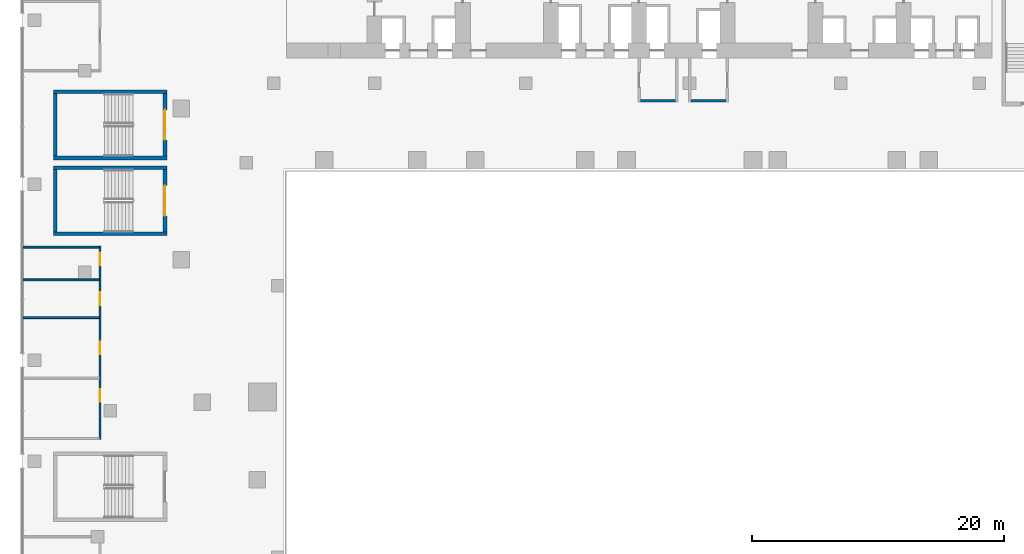
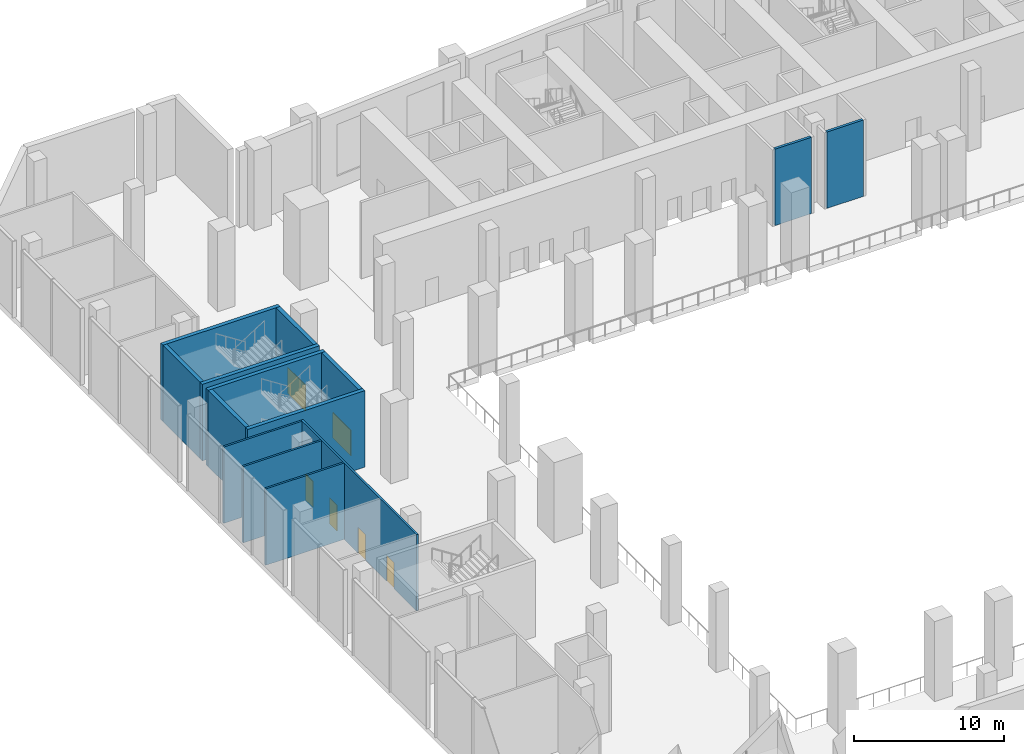
# One storey, part 12 of 30: 14 walls, 6 doors, 6 openings.
"""IFC4 building model written with IfcOpenShell, lengths in metres."""

from ifc_helpers import new_model, si_unit, direction, frame, frame_2d, origin, place, context, subcontext, project, spatial, rectangle, extrude, material, layer, layer_set, type_object, element, fill, save


model = new_model("IFC4")

# Units and contexts
model_context = context("Model", 3, precision=1e-05, world=origin(), true_north=direction((0.0, 1.0)))
body_context = subcontext(model_context, "Body", "Model", "MODEL_VIEW")
ifc_project = project(units=[si_unit("LENGTHUNIT", "METRE"), si_unit("AREAUNIT", "SQUARE_METRE"), si_unit("VOLUMEUNIT", "CUBIC_METRE"), si_unit("PLANEANGLEUNIT", "RADIAN"), si_unit("MASSUNIT", "GRAM", prefix="KILO")], contexts=[model_context])

# Site, building, storey
site_placement = place(None, origin())
site = spatial("IfcSite", under=ifc_project, at=site_placement, CompositionType="ELEMENT")
building_placement = place(site_placement, origin())
building = spatial("IfcBuilding", under=site, at=building_placement, Name="Wharfspan Tower", CompositionType="ELEMENT")
storey_placement = place(building_placement, frame((0.0, 0.0, 15.0)))
storey = spatial("IfcBuildingStorey", under=building, at=storey_placement, Name="L02", CompositionType="ELEMENT", Elevation=15.0)

# Walls
ifc_material_1 = material(Name="Concrete C30/37", Category="concrete")
ifc_layer_1 = layer(ifc_material_1, 0.199951)
ifc_layer_set_1 = layer_set([ifc_layer_1], Name="Concrete C30/37")
wall_type_1 = type_object("IfcWallType", Name="Lobby wall 200", PredefinedType="PARTITIONING", material=ifc_layer_set_1)
for number, where, z_axis, x_axis, name in (
    (1, (37.100098, 30.600098, 0.0), (0.0, 0.0, 1.0), (1.0, 0.0, 0.0), "sw:L02:FLFF1F"),
    (2, (41.100098, 30.600098, 0.0), (0.0, 0.0, 1.0), (1.0, 0.0, 0.0), "sw:L02:FLFF2F"),
):
    element("IfcWall", number, at=place(storey_placement, frame(where, z_axis=z_axis, x_axis=x_axis)), inside=storey, type_object=wall_type_1, Name=name, PredefinedType="PARTITIONING", context=body_context, shape_type="SweptSolid", body=[
        extrude(rectangle(XDim=2.799805, YDim=0.199951, at=frame_2d((1.399902, 0.0))), origin(), (0.0, 0.0, 1.0), 6.199951),
    ])

# Wall, openings, doors
ifc_material_2 = material(Name="Calcium silicate masonry", Category="masonry")
ifc_layer_2 = layer(ifc_material_2, 0.149902)
ifc_layer_set_2 = layer_set([ifc_layer_2], Name="Calcium silicate masonry")
wall_type_2 = type_object("IfcWallType", Name="Podium room wall 150", PredefinedType="PARTITIONING", material=ifc_layer_set_2)
wall_1_placement = place(storey_placement, frame((-5.800049, 3.725098, 0.0), z_axis=(0.0, 0.0, 1.0), x_axis=(0.0, 1.0, 0.0)))
wall_1 = element("IfcWall", 3, at=wall_1_placement, inside=storey, type_object=wall_type_2, Name="iw:L02:4", PredefinedType="PARTITIONING", context=body_context, shape_type="SweptSolid", body=[
    extrude(rectangle(XDim=15.349854, YDim=0.149902, at=frame_2d((7.674805, 0.0))), origin(), (0.0, 0.0, 1.0), 6.199951),
])
opening_1_placement = place(wall_1_placement, frame((2.995117, 0.0, 0.0)))
opening_1 = element("IfcOpeningElement", 4, at=opening_1_placement, cuts=wall_1, Name="Opening PD02.4", PredefinedType="OPENING", context=body_context, shape_type="SweptSolid", body=[
    extrude(rectangle(XDim=1.0, YDim=2.100098, at=frame_2d((0.5, 1.050049))), frame((0.0, 0.084961, 0.0), z_axis=(0.0, -1.0, 0.0), x_axis=(1.0, 0.0, 0.0)), (0.0, 0.0, 1.0), 0.169922),
])
opening_2_placement = place(wall_1_placement, frame((6.774902, 0.0, 0.0)))
opening_2 = element("IfcOpeningElement", 5, at=opening_2_placement, cuts=wall_1, Name="Opening PD02.5", PredefinedType="OPENING", context=body_context, shape_type="SweptSolid", body=[
    extrude(rectangle(XDim=1.0, YDim=2.100098, at=frame_2d((0.5, 1.050049))), frame((0.0, 0.084961, 0.0), z_axis=(0.0, -1.0, 0.0), x_axis=(1.0, 0.0, 0.0)), (0.0, 0.0, 1.0), 0.169922),
])
opening_3_placement = place(wall_1_placement, frame((10.675049, 0.0, 0.0)))
opening_3 = element("IfcOpeningElement", 6, at=opening_3_placement, cuts=wall_1, Name="Opening PD02.6", PredefinedType="OPENING", context=body_context, shape_type="SweptSolid", body=[
    extrude(rectangle(XDim=1.0, YDim=2.100098, at=frame_2d((0.5, 1.050049))), frame((0.0, 0.084961, 0.0), z_axis=(0.0, -1.0, 0.0), x_axis=(1.0, 0.0, 0.0)), (0.0, 0.0, 1.0), 0.169922),
])
opening_4_placement = place(wall_1_placement, frame((13.834961, 0.0, 0.0)))
opening_4 = element("IfcOpeningElement", 7, at=opening_4_placement, cuts=wall_1, Name="Opening PD02.7", PredefinedType="OPENING", context=body_context, shape_type="SweptSolid", body=[
    extrude(rectangle(XDim=1.0, YDim=2.100098, at=frame_2d((0.5, 1.050049))), frame((0.0, 0.084961, 0.0), z_axis=(0.0, -1.0, 0.0), x_axis=(1.0, 0.0, 0.0)), (0.0, 0.0, 1.0), 0.169922),
])
ifc_material_3 = material(Name="Steel door leaf", Category="steel")
door_type_1 = type_object("IfcDoorType", Name="Podium room door 1000x2100", OperationType="SINGLE_SWING_LEFT", PredefinedType="DOOR", material=ifc_material_3)
door_1_placement = place(opening_1_placement, origin())
door_1 = element("IfcDoor", 8, at=door_1_placement, inside=storey, type_object=door_type_1, Name="id:L02:4", OperationType="SINGLE_SWING_LEFT", OverallHeight=2.100098, OverallWidth=1.0, PredefinedType="DOOR", context=body_context, shape_type="SweptSolid", body=[
    extrude(rectangle(XDim=1.0, YDim=2.100098, at=frame_2d((0.5, 1.050049))), frame((0.0, 0.024902, 0.0), z_axis=(0.0, -1.0, 0.0), x_axis=(1.0, 0.0, 0.0)), (0.0, 0.0, 1.0), 0.050049),
])
fill(opening_1, door_1)
door_2_placement = place(opening_2_placement, origin())
door_2 = element("IfcDoor", 9, at=door_2_placement, inside=storey, type_object=door_type_1, Name="id:L02:5", OperationType="SINGLE_SWING_RIGHT", OverallHeight=2.100098, OverallWidth=1.0, PredefinedType="DOOR", context=body_context, shape_type="SweptSolid", body=[
    extrude(rectangle(XDim=1.0, YDim=2.100098, at=frame_2d((0.5, 1.050049))), frame((0.0, 0.024902, 0.0), z_axis=(0.0, -1.0, 0.0), x_axis=(1.0, 0.0, 0.0)), (0.0, 0.0, 1.0), 0.050049),
])
fill(opening_2, door_2)
door_3_placement = place(opening_3_placement, origin())
door_3 = element("IfcDoor", 10, at=door_3_placement, inside=storey, type_object=door_type_1, Name="id:L02:6", OperationType="SINGLE_SWING_LEFT", OverallHeight=2.100098, OverallWidth=1.0, PredefinedType="DOOR", context=body_context, shape_type="SweptSolid", body=[
    extrude(rectangle(XDim=1.0, YDim=2.100098, at=frame_2d((0.5, 1.050049))), frame((0.0, 0.024902, 0.0), z_axis=(0.0, -1.0, 0.0), x_axis=(1.0, 0.0, 0.0)), (0.0, 0.0, 1.0), 0.050049),
])
fill(opening_3, door_3)
door_4_placement = place(opening_4_placement, origin())
door_4 = element("IfcDoor", 11, at=door_4_placement, inside=storey, type_object=door_type_1, Name="id:L02:7", OperationType="SINGLE_SWING_RIGHT", OverallHeight=2.100098, OverallWidth=1.0, PredefinedType="DOOR", context=body_context, shape_type="SweptSolid", body=[
    extrude(rectangle(XDim=1.0, YDim=2.100098, at=frame_2d((0.5, 1.050049))), frame((0.0, 0.024902, 0.0), z_axis=(0.0, -1.0, 0.0), x_axis=(1.0, 0.0, 0.0)), (0.0, 0.0, 1.0), 0.050049),
])
fill(opening_4, door_4)

# Walls
for number, where, z_axis, x_axis, name in (
    (12, (-11.89502, 13.399902, 0.0), (0.0, 0.0, 1.0), (1.0, 0.0, 0.0), "iw:L02:14"),
    (13, (-11.89502, 16.399902, 0.0), (0.0, 0.0, 1.0), (1.0, 0.0, 0.0), "iw:L02:15"),
    (14, (-11.89502, 19.0, 0.0), (0.0, 0.0, 1.0), (1.0, 0.0, 0.0), "iw:L02:16"),
):
    element("IfcWall", number, at=place(storey_placement, frame(where, z_axis=z_axis, x_axis=x_axis)), inside=storey, type_object=wall_type_2, Name=name, PredefinedType="PARTITIONING", context=body_context, shape_type="SweptSolid", body=[
        extrude(rectangle(XDim=6.02002, YDim=0.149902, at=frame_2d((3.01001, 0.0))), origin(), (0.0, 0.0, 1.0), 6.199951),
    ])
ifc_material_4 = material(Name="Concrete C40/50", Category="concrete")
ifc_layer_3 = layer(ifc_material_4, 0.300049)
ifc_layer_set_3 = layer_set([ifc_layer_3], Name="Concrete C40/50")
wall_type_3 = type_object("IfcWallType", Name="Podium stair core wall 300", PredefinedType="SHEAR", material=ifc_layer_set_3)
for number, where, z_axis, x_axis, name in (
    (15, (-9.5, 20.050049, 0.0), (0.0, 0.0, 1.0), (1.0, 0.0, 0.0), "iw:L02:AS3S"),
    (16, (-9.5, 25.300049, 0.0), (0.0, 0.0, 1.0), (1.0, 0.0, 0.0), "iw:L02:AS3N"),
):
    element("IfcWall", number, at=place(storey_placement, frame(where, z_axis=z_axis, x_axis=x_axis)), inside=storey, type_object=wall_type_3, Name=name, PredefinedType="SHEAR", context=body_context, shape_type="SweptSolid", body=[
        extrude(rectangle(XDim=9.0, YDim=0.300049, at=frame_2d((4.5, 0.0))), origin(), (0.0, 0.0, 1.0), 6.199951),
    ])
wall_2_placement = place(storey_placement, frame((-9.350098, 20.199951, 0.0), z_axis=(0.0, 0.0, 1.0), x_axis=(0.0, 1.0, 0.0)))
element("IfcWall", 17, at=wall_2_placement, inside=storey, type_object=wall_type_3, Name="iw:L02:AS3W", PredefinedType="SHEAR", context=body_context, shape_type="SweptSolid", body=[
    extrude(rectangle(XDim=4.949951, YDim=0.300049, at=frame_2d((2.475098, 0.0))), origin(), (0.0, 0.0, 1.0), 6.199951),
])

# Wall, opening, door
wall_3_placement = place(storey_placement, frame((-0.649902, 20.199951, 0.0), z_axis=(0.0, 0.0, 1.0), x_axis=(0.0, 1.0, 0.0)))
wall_3 = element("IfcWall", 18, at=wall_3_placement, inside=storey, type_object=wall_type_3, Name="iw:L02:AS3E", PredefinedType="SHEAR", context=body_context, shape_type="SweptSolid", body=[
    extrude(rectangle(XDim=4.949951, YDim=0.300049, at=frame_2d((2.475098, 0.0))), origin(), (0.0, 0.0, 1.0), 6.199951),
])
opening_5_placement = place(wall_3_placement, frame((1.274902, 0.0, 0.0)))
opening_5 = element("IfcOpeningElement", 19, at=opening_5_placement, cuts=wall_3, Name="Opening SDAS3.L02", PredefinedType="OPENING", context=body_context, shape_type="SweptSolid", body=[
    extrude(rectangle(XDim=2.399902, YDim=2.100098, at=frame_2d((1.199951, 1.050049))), frame((0.0, 0.159912, 0.0), z_axis=(0.0, -1.0, 0.0), x_axis=(1.0, 0.0, 0.0)), (0.0, 0.0, 1.0), 0.320068),
])
door_type_2 = type_object("IfcDoorType", Name="Podium stair door 2400x2100", OperationType="DOUBLE_DOOR_SINGLE_SWING", PredefinedType="DOOR", material=ifc_material_3)
door_5_placement = place(opening_5_placement, origin())
door_5 = element("IfcDoor", 20, at=door_5_placement, inside=storey, type_object=door_type_2, Name="id:L02:AS3", OperationType="DOUBLE_DOOR_SINGLE_SWING", OverallHeight=2.100098, OverallWidth=2.399902, PredefinedType="DOOR", context=body_context, shape_type="SweptSolid", body=[
    extrude(rectangle(XDim=2.399902, YDim=2.100098, at=frame_2d((1.199951, 1.050049))), frame((0.0, 0.024902, 0.0), z_axis=(0.0, -1.0, 0.0), x_axis=(1.0, 0.0, 0.0)), (0.0, 0.0, 1.0), 0.050049),
])
fill(opening_5, door_5)

# Walls
for number, where, z_axis, x_axis, name in (
    (21, (-9.5, 26.074951, 0.0), (0.0, 0.0, 1.0), (1.0, 0.0, 0.0), "iw:L02:PS3S"),
    (22, (-9.5, 31.324951, 0.0), (0.0, 0.0, 1.0), (1.0, 0.0, 0.0), "iw:L02:PS3N"),
):
    element("IfcWall", number, at=place(storey_placement, frame(where, z_axis=z_axis, x_axis=x_axis)), inside=storey, type_object=wall_type_3, Name=name, PredefinedType="SHEAR", context=body_context, shape_type="SweptSolid", body=[
        extrude(rectangle(XDim=9.0, YDim=0.300049, at=frame_2d((4.5, 0.0))), origin(), (0.0, 0.0, 1.0), 6.199951),
    ])
wall_4_placement = place(storey_placement, frame((-9.350098, 26.225098, 0.0), z_axis=(0.0, 0.0, 1.0), x_axis=(0.0, 1.0, 0.0)))
element("IfcWall", 23, at=wall_4_placement, inside=storey, type_object=wall_type_3, Name="iw:L02:PS3W", PredefinedType="SHEAR", context=body_context, shape_type="SweptSolid", body=[
    extrude(rectangle(XDim=4.949951, YDim=0.300049, at=frame_2d((2.475098, 0.0))), origin(), (0.0, 0.0, 1.0), 6.199951),
])

# Wall, opening, door
wall_5_placement = place(storey_placement, frame((-0.649902, 26.225098, 0.0), z_axis=(0.0, 0.0, 1.0), x_axis=(0.0, 1.0, 0.0)))
wall_5 = element("IfcWall", 24, at=wall_5_placement, inside=storey, type_object=wall_type_3, Name="iw:L02:PS3E", PredefinedType="SHEAR", context=body_context, shape_type="SweptSolid", body=[
    extrude(rectangle(XDim=4.949951, YDim=0.300049, at=frame_2d((2.475098, 0.0))), origin(), (0.0, 0.0, 1.0), 6.199951),
])
opening_6_placement = place(wall_5_placement, frame((1.274902, 0.0, 0.0)))
opening_6 = element("IfcOpeningElement", 25, at=opening_6_placement, cuts=wall_5, Name="Opening SDPS3.L02", PredefinedType="OPENING", context=body_context, shape_type="SweptSolid", body=[
    extrude(rectangle(XDim=2.399902, YDim=2.100098, at=frame_2d((1.199951, 1.050049))), frame((0.0, 0.159912, 0.0), z_axis=(0.0, -1.0, 0.0), x_axis=(1.0, 0.0, 0.0)), (0.0, 0.0, 1.0), 0.320068),
])
door_6_placement = place(opening_6_placement, origin())
door_6 = element("IfcDoor", 26, at=door_6_placement, inside=storey, type_object=door_type_2, Name="id:L02:PS3", OperationType="DOUBLE_DOOR_SINGLE_SWING", OverallHeight=2.100098, OverallWidth=2.399902, PredefinedType="DOOR", context=body_context, shape_type="SweptSolid", body=[
    extrude(rectangle(XDim=2.399902, YDim=2.100098, at=frame_2d((1.199951, 1.050049))), frame((0.0, 0.024902, 0.0), z_axis=(0.0, -1.0, 0.0), x_axis=(1.0, 0.0, 0.0)), (0.0, 0.0, 1.0), 0.050049),
])
fill(opening_6, door_6)

save(model, "model.ifc")
